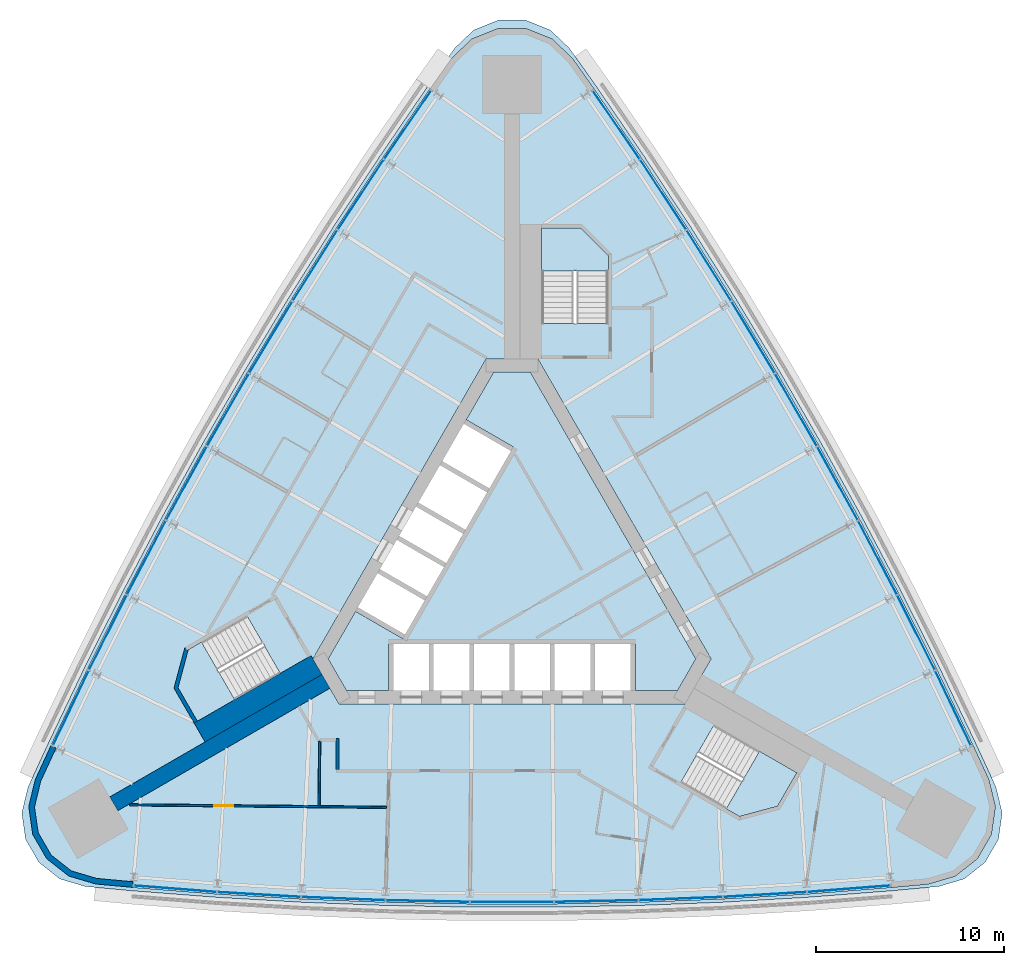
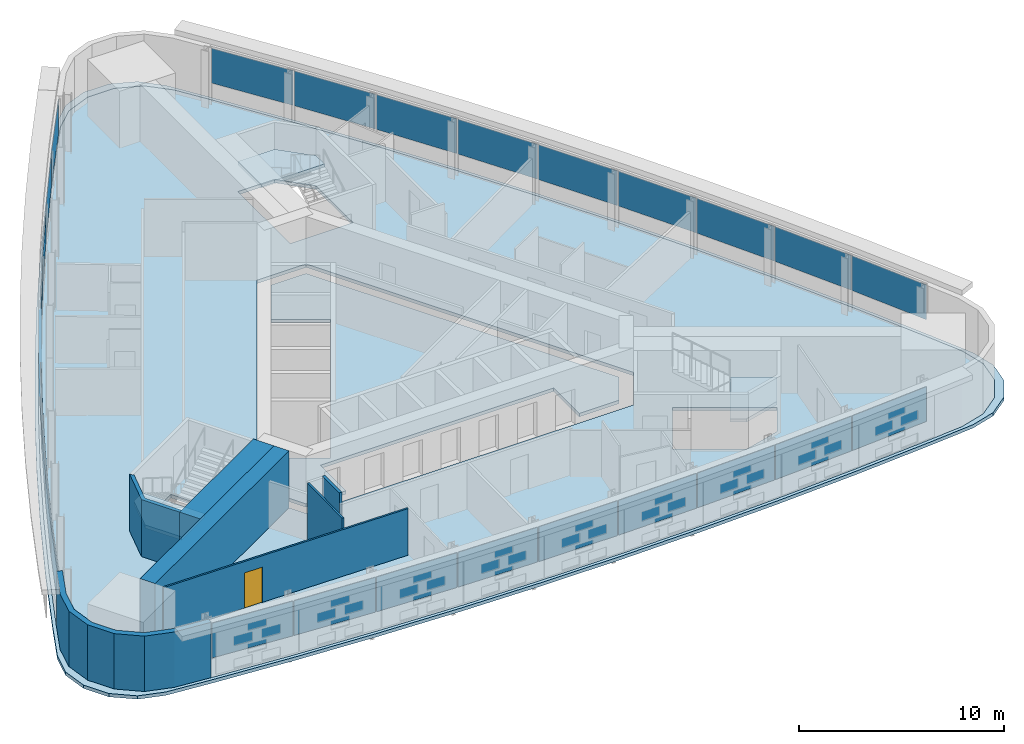
# One storey, part 7 of 13: 27 plates, 7 walls, 6 slabs, 1 door, 1 opening, 6 elements without a shape of their own.
"""IFC4 building model written with IfcOpenShell, lengths in metres."""

from ifc_helpers import new_model, si_unit, direction, frame, frame_2d, origin, origin_2d, place, context, subcontext, project, spatial, polyline, rectangle, outline, extrude, material, layer, layer_set, type_object, element, fill, aggregate, save


model = new_model("IFC4")

# Units and contexts
model_context = context("Model", 3, precision=1e-05, world=origin(), true_north=direction((0.0, 1.0)))
body_context = subcontext(model_context, "Body", "Model", "MODEL_VIEW")
ifc_project = project(units=[si_unit("LENGTHUNIT", "METRE"), si_unit("AREAUNIT", "SQUARE_METRE"), si_unit("VOLUMEUNIT", "CUBIC_METRE"), si_unit("PLANEANGLEUNIT", "RADIAN"), si_unit("MASSUNIT", "GRAM", prefix="KILO")], contexts=[model_context])

# Site, building, storey
site_placement = place(None, origin())
site = spatial("IfcSite", under=ifc_project, at=site_placement, CompositionType="ELEMENT")
building_placement = place(site_placement, origin())
building = spatial("IfcBuilding", under=site, at=building_placement, Name="Noor Cloister Tower", CompositionType="ELEMENT")
storey_placement = place(building_placement, frame((0.0, 0.0, 79.800048828125)))
storey = spatial("IfcBuildingStorey", under=building, at=storey_placement, Name="L20", CompositionType="ELEMENT", Elevation=79.800048828125)

# Slabs
ifc_material_1 = material(Name="Concrete C40/50", Category="concrete")
ifc_layer_1 = layer(ifc_material_1, 0.199951171875)
ifc_layer_set_1 = layer_set([ifc_layer_1], Name="Core floor slab 200 C40/50")
slab_type_1 = type_object("IfcSlabType", Name="Core floor slab 200 C40/50", PredefinedType="FLOOR", material=ifc_layer_set_1)
slab_1_placement = place(storey_placement, frame((0.0, 0.0, -0.199951171875)))
element("IfcSlab", 1, at=slab_1_placement, inside=storey, type_object=slab_type_1, Name="Core floor L20", PredefinedType="FLOOR", context=body_context, shape_type="SweptSolid", body=[
    extrude(outline(polyline([(-6.574951171875, -6.228271484375), (-6.574951171875, -3.728271484375), (6.574951171875, -3.728271484375), (6.574951171875, -6.228271484375), (8.82470703125, -6.228271484375), (9.80615234375, -4.5283203125), (0.9814453125, 10.75634765625), (-0.9814453125, 10.75634765625), (-2.44384765625, 8.2236328125), (0.067626953125, 6.773681640625), (-5.832275390625, -3.4453125), (-8.34375, -1.995361328125), (-9.80615234375, -4.5283203125), (-8.82470703125, -6.228271484375), (-6.574951171875, -6.228271484375)])), origin(), (0.0, 0.0, 1.0), 0.199951171875),
])
ifc_material_2 = material(Name="Concrete C40/50", Category="concrete")
ifc_layer_2 = layer(ifc_material_2, 0.199951171875)
ifc_layer_set_2 = layer_set([ifc_layer_2], Name="Floor slab 200 C40/50")
slab_type_2 = type_object("IfcSlabType", Name="Floor slab 200 C40/50", PredefinedType="FLOOR", material=ifc_layer_set_2)
slab_2_placement = place(storey_placement, frame((0.0, 0.0, -0.199951171875)))
element("IfcSlab", 2, at=slab_2_placement, inside=storey, type_object=slab_type_2, Name="Floor slab L20", PredefinedType="FLOOR", context=body_context, shape_type="SweptSolid", body=[
    extrude(outline(polyline([(3.216796875, 27.4951171875), (2.134521484375, 28.525390625), (0.7470703125, 29.080078125), (-0.7470703125, 29.080078125), (-2.134521484375, 28.525390625), (-3.216796875, 27.4951171875), (-4.3642578125, 25.87255859375), (-6.910888671875, 22.162353515625), (-9.384521484375, 18.4033203125), (-11.78466796875, 14.596923828125), (-14.110107421875, 10.744384765625), (-16.360107421875, 6.847412109375), (-18.53369140625, 2.9072265625), (-20.630126953125, -1.074462890625), (-22.648681640625, -5.09619140625), (-24.58837890625, -9.15673828125), (-25.419921875, -10.961669921875), (-25.770751953125, -12.4140625), (-25.5576171875, -13.89306640625), (-24.810546875, -15.18701171875), (-23.636474609375, -16.111083984375), (-22.203125, -16.533447265625), (-20.22412109375, -16.7158203125), (-15.73779296875, -17.066162109375), (-11.24560546875, -17.328857421875), (-6.7490234375, -17.504150390625), (-2.25, -17.591796875), (2.25, -17.591796875), (6.7490234375, -17.504150390625), (11.24560546875, -17.328857421875), (15.73779296875, -17.066162109375), (20.22412109375, -16.7158203125), (22.203125, -16.533447265625), (23.636474609375, -16.111083984375), (24.810546875, -15.18701171875), (25.5576171875, -13.89306640625), (25.770751953125, -12.4140625), (25.419921875, -10.961669921875), (24.58837890625, -9.15673828125), (22.648681640625, -5.09619140625), (20.630126953125, -1.074462890625), (18.53369140625, 2.9072265625), (16.360107421875, 6.847412109375), (14.110107421875, 10.744384765625), (11.78466796875, 14.596923828125), (9.384521484375, 18.4033203125), (6.910888671875, 22.162353515625), (4.3642578125, 25.87255859375), (3.216796875, 27.4951171875)]), holes=[polyline([(8.999755859375, -11.126220703125), (12.131591796875, -12.934326171875), (14.1572265625, -12.3916015625), (15.19091796875, -10.601318359375), (10.774658203125, -8.0517578125), (8.999755859375, -11.126220703125)]), polyline([(-17.81005859375, -6.064697265625), (-16.776611328125, -7.85498046875), (-12.3603515625, -5.305419921875), (-14.13525390625, -2.23095703125), (-16.662841796875, -3.690185546875), (-17.267333984375, -4.039306640625), (-17.81005859375, -6.064697265625)]), polyline([(-10.6142578125, -4.5283203125), (-9.228759765625, -6.92822265625), (9.228759765625, -6.92822265625), (10.6142578125, -4.5283203125), (1.3857421875, 11.456298828125), (-1.3857421875, 11.456298828125), (-10.6142578125, -4.5283203125)]), polyline([(3.65283203125, 18.456298828125), (1.585693359375, 18.456298828125), (1.585693359375, 13.35693359375), (5.135498046875, 13.35693359375), (5.135498046875, 16.9736328125), (3.65283203125, 18.456298828125)])]), origin(), (0.0, 0.0, 1.0), 0.199951171875),
])

# Curtain wall, plates
ifc_material_3 = material(Name="Aluminium 6063-T6 anodised", Category="aluminium")
curtain_wall_type = type_object("IfcCurtainWallType", Name="Ribbon curtain wall, lower tower CW1", PredefinedType="NOTDEFINED", material=ifc_material_3)
curtain_wall_1_placement = place(storey_placement, origin())
curtain_wall_1 = element("IfcCurtainWall", 3, at=curtain_wall_1_placement, inside=storey, type_object=curtain_wall_type, Name="CW1 L20 NW run 1", PredefinedType="NOTDEFINED")
ifc_material_4 = material(Name="Clear laminated glass 2 x 8 mm", Category="glass")
ifc_layer_3 = layer(ifc_material_4, 0.028076171875)
ifc_layer_set_3 = layer_set([ifc_layer_3], Name="Glass panel CW1")
plate_type = type_object("IfcPlateType", Name="Glass panel CW1", PredefinedType="CURTAIN_PANEL", material=ifc_layer_set_3)
plate_1_placement = place(storey_placement, frame((-5.566162109375, 23.94482421875, 1.08984375), z_axis=(0.0, 0.0, 1.0), x_axis=(-0.565895290492, -0.82447711927, 0.0)))
plate_1 = element("IfcPlate", 4, at=plate_1_placement, type_object=plate_type, Name="CW1 glass panel 1", PredefinedType="CURTAIN_PANEL", context=body_context, shape_type="SweptSolid", body=[
    extrude(rectangle(XDim=4.39892578125, YDim=0.028076171875, at=origin_2d()), origin(), (0.0, 0.0, 1.0), 2.070068359375),
])
plate_2_placement = place(storey_placement, frame((-8.064208984375, 20.22802734375, 1.08984375), z_axis=(0.0, 0.0, 1.0), x_axis=(-0.549728136539, -0.835343627436, 0.0)))
plate_2 = element("IfcPlate", 5, at=plate_2_placement, type_object=plate_type, Name="CW1 glass panel 2", PredefinedType="CURTAIN_PANEL", context=body_context, shape_type="SweptSolid", body=[
    extrude(rectangle(XDim=4.43798828125, YDim=0.028076171875, at=origin_2d()), origin(), (0.0, 0.0, 1.0), 2.070068359375),
])
plate_3_placement = place(storey_placement, frame((-10.5, 16.44677734375, 1.08984375), z_axis=(0.0, 0.0, 1.0), x_axis=(-0.533352369157, -0.845893167199, 0.0)))
plate_3 = element("IfcPlate", 6, at=plate_3_placement, type_object=plate_type, Name="CW1 glass panel 3", PredefinedType="CURTAIN_PANEL", context=body_context, shape_type="SweptSolid", body=[
    extrude(rectangle(XDim=4.43798828125, YDim=0.028076171875, at=origin_2d()), origin(), (0.0, 0.0, 1.0), 2.070068359375),
])
plate_4_placement = place(storey_placement, frame((-12.86181640625, 12.619140625, 1.08984375), z_axis=(0.0, 0.0, 1.0), x_axis=(-0.516774231602, -0.856121716552, 0.0)))
plate_4 = element("IfcPlate", 7, at=plate_4_placement, type_object=plate_type, Name="CW1 glass panel 4", PredefinedType="CURTAIN_PANEL", context=body_context, shape_type="SweptSolid", body=[
    extrude(rectangle(XDim=4.43798828125, YDim=0.028076171875, at=origin_2d()), origin(), (0.0, 0.0, 1.0), 2.070068359375),
])
plate_5_placement = place(storey_placement, frame((-15.1484375, 8.745849609375, 1.08984375), z_axis=(0.0, 0.0, 1.0), x_axis=(-0.5, -0.866025403784, 0.0)))
plate_5 = element("IfcPlate", 8, at=plate_5_placement, type_object=plate_type, Name="CW1 glass panel 5", PredefinedType="CURTAIN_PANEL", context=body_context, shape_type="SweptSolid", body=[
    extrude(rectangle(XDim=4.43798828125, YDim=0.028076171875, at=origin_2d()), origin(), (0.0, 0.0, 1.0), 2.070068359375),
])
plate_6_placement = place(storey_placement, frame((-17.359130859375, 4.8291015625, 1.08984375), z_axis=(0.0, 0.0, 1.0), x_axis=(-0.483036039464, -0.875600470865, 0.0)))
plate_6 = element("IfcPlate", 9, at=plate_6_placement, type_object=plate_type, Name="CW1 glass panel 6", PredefinedType="CURTAIN_PANEL", context=body_context, shape_type="SweptSolid", body=[
    extrude(rectangle(XDim=4.43798828125, YDim=0.028076171875, at=origin_2d()), origin(), (0.0, 0.0, 1.0), 2.070068359375),
])
plate_7_placement = place(storey_placement, frame((-19.493408203125, 0.869873046875, 1.08984375), z_axis=(0.0, 0.0, 1.0), x_axis=(-0.465888787104, -0.884843284458, 0.0)))
plate_7 = element("IfcPlate", 10, at=plate_7_placement, type_object=plate_type, Name="CW1 glass panel 7", PredefinedType="CURTAIN_PANEL", context=body_context, shape_type="SweptSolid", body=[
    extrude(rectangle(XDim=4.43798828125, YDim=0.028076171875, at=origin_2d()), origin(), (0.0, 0.0, 1.0), 2.070068359375),
])
plate_8_placement = place(storey_placement, frame((-21.550048828125, -3.130126953125, 1.08984375), z_axis=(0.0, 0.0, 1.0), x_axis=(-0.448564733979, -0.893750345136, 0.0)))
plate_8 = element("IfcPlate", 11, at=plate_8_placement, type_object=plate_type, Name="CW1 glass panel 8", PredefinedType="CURTAIN_PANEL", context=body_context, shape_type="SweptSolid", body=[
    extrude(rectangle(XDim=4.43798828125, YDim=0.028076171875, at=origin_2d()), origin(), (0.0, 0.0, 1.0), 2.070068359375),
])
plate_9_placement = place(storey_placement, frame((-23.519775390625, -7.15185546875, 1.08984375), z_axis=(0.0, 0.0, 1.0), x_axis=(-0.431070484881, -0.902318257083, 0.0)))
plate_9 = element("IfcPlate", 12, at=plate_9_placement, type_object=plate_type, Name="CW1 glass panel 9", PredefinedType="CURTAIN_PANEL", context=body_context, shape_type="SweptSolid", body=[
    extrude(rectangle(XDim=4.39892578125, YDim=0.028076171875, at=origin_2d()), origin(), (0.0, 0.0, 1.0), 2.070068359375),
])
aggregate(curtain_wall_1, [plate_1, plate_2, plate_3, plate_4, plate_5, plate_6, plate_7, plate_8, plate_9])

curtain_wall_2_placement = place(storey_placement, origin())
curtain_wall_2 = element("IfcCurtainWall", 13, at=curtain_wall_2_placement, inside=storey, type_object=curtain_wall_type, Name="CW1 L20 S run 2", PredefinedType="NOTDEFINED")
plate_10_placement = place(storey_placement, frame((-17.95361328125, -16.792724609375, 1.08984375), z_axis=(0.0, 0.0, 1.0), x_axis=(0.996965775372, -0.077841137813, 0.0)))
plate_10 = element("IfcPlate", 14, at=plate_10_placement, type_object=plate_type, Name="CW1 glass panel 1", PredefinedType="CURTAIN_PANEL", context=body_context, shape_type="SweptSolid", body=[
    extrude(rectangle(XDim=4.39892578125, YDim=0.028076171875, at=origin_2d()), origin(), (0.0, 0.0, 1.0), 2.070068359375),
])
plate_11_placement = place(storey_placement, frame((-13.48583984375, -17.09765625, 1.08984375), z_axis=(0.0, 0.0, 1.0), x_axis=(0.998292870518, -0.0584067177, 0.0)))
plate_11 = element("IfcPlate", 15, at=plate_11_placement, type_object=plate_type, Name="CW1 glass panel 2", PredefinedType="CURTAIN_PANEL", context=body_context, shape_type="SweptSolid", body=[
    extrude(rectangle(XDim=4.43798828125, YDim=0.028076171875, at=origin_2d()), origin(), (0.0, 0.0, 1.0), 2.070068359375),
])
plate_12_placement = place(storey_placement, frame((-8.993408203125, -17.316650390625, 1.08984375), z_axis=(0.0, 0.0, 1.0), x_axis=(0.999241156261, -0.038950117259, 0.0)))
plate_12 = element("IfcPlate", 16, at=plate_12_placement, type_object=plate_type, Name="CW1 glass panel 3", PredefinedType="CURTAIN_PANEL", context=body_context, shape_type="SweptSolid", body=[
    extrude(rectangle(XDim=4.43798828125, YDim=0.028076171875, at=origin_2d()), origin(), (0.0, 0.0, 1.0), 2.070068359375),
])
plate_13_placement = place(storey_placement, frame((-4.49755859375, -17.447998046875, 1.08984375), z_axis=(0.0, 0.0, 1.0), x_axis=(0.999810271067, -0.019478754313, 0.0)))
plate_13 = element("IfcPlate", 17, at=plate_13_placement, type_object=plate_type, Name="CW1 glass panel 4", PredefinedType="CURTAIN_PANEL", context=body_context, shape_type="SweptSolid", body=[
    extrude(rectangle(XDim=4.43798828125, YDim=0.028076171875, at=origin_2d()), origin(), (0.0, 0.0, 1.0), 2.070068359375),
])
plate_14_placement = place(storey_placement, frame((0.0, -17.491943359375, 1.08984375), z_axis=(0.0, 0.0, 1.0), x_axis=(1.0, 0.0, 0.0)))
plate_14 = element("IfcPlate", 18, at=plate_14_placement, type_object=plate_type, Name="CW1 glass panel 5", PredefinedType="CURTAIN_PANEL", context=body_context, shape_type="SweptSolid", body=[
    extrude(rectangle(XDim=4.43798828125, YDim=0.028076171875, at=origin_2d()), origin(), (0.0, 0.0, 1.0), 2.070068359375),
])
plate_15_placement = place(storey_placement, frame((4.49755859375, -17.447998046875, 1.08984375), z_axis=(0.0, 0.0, 1.0), x_axis=(0.999810271067, 0.019478754313, 0.0)))
plate_15 = element("IfcPlate", 19, at=plate_15_placement, type_object=plate_type, Name="CW1 glass panel 6", PredefinedType="CURTAIN_PANEL", context=body_context, shape_type="SweptSolid", body=[
    extrude(rectangle(XDim=4.43798828125, YDim=0.028076171875, at=origin_2d()), origin(), (0.0, 0.0, 1.0), 2.070068359375),
])
plate_16_placement = place(storey_placement, frame((8.993408203125, -17.316650390625, 1.08984375), z_axis=(0.0, 0.0, 1.0), x_axis=(0.999241156261, 0.038950117259, 0.0)))
plate_16 = element("IfcPlate", 20, at=plate_16_placement, type_object=plate_type, Name="CW1 glass panel 7", PredefinedType="CURTAIN_PANEL", context=body_context, shape_type="SweptSolid", body=[
    extrude(rectangle(XDim=4.43798828125, YDim=0.028076171875, at=origin_2d()), origin(), (0.0, 0.0, 1.0), 2.070068359375),
])
plate_17_placement = place(storey_placement, frame((13.48583984375, -17.09765625, 1.08984375), z_axis=(0.0, 0.0, 1.0), x_axis=(0.998292870518, 0.0584067177, 0.0)))
plate_17 = element("IfcPlate", 21, at=plate_17_placement, type_object=plate_type, Name="CW1 glass panel 8", PredefinedType="CURTAIN_PANEL", context=body_context, shape_type="SweptSolid", body=[
    extrude(rectangle(XDim=4.43798828125, YDim=0.028076171875, at=origin_2d()), origin(), (0.0, 0.0, 1.0), 2.070068359375),
])
plate_18_placement = place(storey_placement, frame((17.95361328125, -16.792724609375, 1.08984375), z_axis=(0.0, 0.0, 1.0), x_axis=(0.996965775372, 0.077841137813, 0.0)))
plate_18 = element("IfcPlate", 22, at=plate_18_placement, type_object=plate_type, Name="CW1 glass panel 9", PredefinedType="CURTAIN_PANEL", context=body_context, shape_type="SweptSolid", body=[
    extrude(rectangle(XDim=4.39892578125, YDim=0.028076171875, at=origin_2d()), origin(), (0.0, 0.0, 1.0), 2.070068359375),
])
aggregate(curtain_wall_2, [plate_10, plate_11, plate_12, plate_13, plate_14, plate_15, plate_16, plate_17, plate_18])

curtain_wall_3_placement = place(storey_placement, origin())
curtain_wall_3 = element("IfcCurtainWall", 23, at=curtain_wall_3_placement, inside=storey, type_object=curtain_wall_type, Name="CW1 L20 NE run 3", PredefinedType="NOTDEFINED")
plate_19_placement = place(storey_placement, frame((23.519775390625, -7.15185546875, 1.08984375), z_axis=(0.0, 0.0, 1.0), x_axis=(-0.431070484881, 0.902318257083, 0.0)))
plate_19 = element("IfcPlate", 24, at=plate_19_placement, type_object=plate_type, Name="CW1 glass panel 1", PredefinedType="CURTAIN_PANEL", context=body_context, shape_type="SweptSolid", body=[
    extrude(rectangle(XDim=4.39892578125, YDim=0.028076171875, at=origin_2d()), origin(), (0.0, 0.0, 1.0), 2.070068359375),
])
plate_20_placement = place(storey_placement, frame((21.550048828125, -3.130126953125, 1.08984375), z_axis=(0.0, 0.0, 1.0), x_axis=(-0.448564733979, 0.893750345136, 0.0)))
plate_20 = element("IfcPlate", 25, at=plate_20_placement, type_object=plate_type, Name="CW1 glass panel 2", PredefinedType="CURTAIN_PANEL", context=body_context, shape_type="SweptSolid", body=[
    extrude(rectangle(XDim=4.43798828125, YDim=0.028076171875, at=origin_2d()), origin(), (0.0, 0.0, 1.0), 2.070068359375),
])
plate_21_placement = place(storey_placement, frame((19.493408203125, 0.869873046875, 1.08984375), z_axis=(0.0, 0.0, 1.0), x_axis=(-0.465888787104, 0.884843284458, 0.0)))
plate_21 = element("IfcPlate", 26, at=plate_21_placement, type_object=plate_type, Name="CW1 glass panel 3", PredefinedType="CURTAIN_PANEL", context=body_context, shape_type="SweptSolid", body=[
    extrude(rectangle(XDim=4.43798828125, YDim=0.028076171875, at=origin_2d()), origin(), (0.0, 0.0, 1.0), 2.070068359375),
])
plate_22_placement = place(storey_placement, frame((17.359130859375, 4.8291015625, 1.08984375), z_axis=(0.0, 0.0, 1.0), x_axis=(-0.483036039464, 0.875600470865, 0.0)))
plate_22 = element("IfcPlate", 27, at=plate_22_placement, type_object=plate_type, Name="CW1 glass panel 4", PredefinedType="CURTAIN_PANEL", context=body_context, shape_type="SweptSolid", body=[
    extrude(rectangle(XDim=4.43798828125, YDim=0.028076171875, at=origin_2d()), origin(), (0.0, 0.0, 1.0), 2.070068359375),
])
plate_23_placement = place(storey_placement, frame((15.1484375, 8.745849609375, 1.08984375), z_axis=(0.0, 0.0, 1.0), x_axis=(-0.5, 0.866025403784, 0.0)))
plate_23 = element("IfcPlate", 28, at=plate_23_placement, type_object=plate_type, Name="CW1 glass panel 5", PredefinedType="CURTAIN_PANEL", context=body_context, shape_type="SweptSolid", body=[
    extrude(rectangle(XDim=4.43798828125, YDim=0.028076171875, at=origin_2d()), origin(), (0.0, 0.0, 1.0), 2.070068359375),
])
plate_24_placement = place(storey_placement, frame((12.86181640625, 12.619140625, 1.08984375), z_axis=(0.0, 0.0, 1.0), x_axis=(-0.516774231602, 0.856121716552, 0.0)))
plate_24 = element("IfcPlate", 29, at=plate_24_placement, type_object=plate_type, Name="CW1 glass panel 6", PredefinedType="CURTAIN_PANEL", context=body_context, shape_type="SweptSolid", body=[
    extrude(rectangle(XDim=4.43798828125, YDim=0.028076171875, at=origin_2d()), origin(), (0.0, 0.0, 1.0), 2.070068359375),
])
plate_25_placement = place(storey_placement, frame((10.5, 16.44677734375, 1.08984375), z_axis=(0.0, 0.0, 1.0), x_axis=(-0.533352369157, 0.845893167199, 0.0)))
plate_25 = element("IfcPlate", 30, at=plate_25_placement, type_object=plate_type, Name="CW1 glass panel 7", PredefinedType="CURTAIN_PANEL", context=body_context, shape_type="SweptSolid", body=[
    extrude(rectangle(XDim=4.43798828125, YDim=0.028076171875, at=origin_2d()), origin(), (0.0, 0.0, 1.0), 2.070068359375),
])
plate_26_placement = place(storey_placement, frame((8.064208984375, 20.22802734375, 1.08984375), z_axis=(0.0, 0.0, 1.0), x_axis=(-0.549728136539, 0.835343627436, 0.0)))
plate_26 = element("IfcPlate", 31, at=plate_26_placement, type_object=plate_type, Name="CW1 glass panel 8", PredefinedType="CURTAIN_PANEL", context=body_context, shape_type="SweptSolid", body=[
    extrude(rectangle(XDim=4.43798828125, YDim=0.028076171875, at=origin_2d()), origin(), (0.0, 0.0, 1.0), 2.070068359375),
])
plate_27_placement = place(storey_placement, frame((5.566162109375, 23.94482421875, 1.08984375), z_axis=(0.0, 0.0, 1.0), x_axis=(-0.565895290492, 0.82447711927, 0.0)))
plate_27 = element("IfcPlate", 32, at=plate_27_placement, type_object=plate_type, Name="CW1 glass panel 9", PredefinedType="CURTAIN_PANEL", context=body_context, shape_type="SweptSolid", body=[
    extrude(rectangle(XDim=4.39892578125, YDim=0.028076171875, at=origin_2d()), origin(), (0.0, 0.0, 1.0), 2.070068359375),
])
aggregate(curtain_wall_3, [plate_19, plate_20, plate_21, plate_22, plate_23, plate_24, plate_25, plate_26, plate_27])

# Slab
ifc_material_5 = material(Name="Concrete C40/50", Category="concrete")
ifc_layer_4 = layer(ifc_material_5, 0.199951171875)
ifc_layer_set_4 = layer_set([ifc_layer_4], Name="Ledge roof 200 C40/50")
slab_type_3 = type_object("IfcSlabType", Name="Ledge roof 200 C40/50", PredefinedType="ROOF", material=ifc_layer_set_4)
slab_3_placement = place(storey_placement, frame((0.0, 0.0, -0.199951171875)))
element("IfcSlab", 33, at=slab_3_placement, inside=storey, type_object=slab_type_3, Name="Ledge roof L20", PredefinedType="ROOF", context=body_context, shape_type="SweptSolid", body=[
    extrude(outline(polyline([(4.524169921875, 25.96533203125), (3.05908203125, 28.035888671875), (2.029052734375, 29.013916015625), (0.710205078125, 29.540283203125), (-0.710205078125, 29.540283203125), (-2.029052734375, 29.013916015625), (-3.05908203125, 28.035888671875), (-4.524169921875, 25.96533203125), (-7.06787109375, 22.25341796875), (-9.53955078125, 18.492919921875), (-11.938232421875, 14.685546875), (-14.262939453125, 10.832763671875), (-16.5126953125, 6.935546875), (-18.687255859375, 2.995849609375), (-20.78515625, -0.985107421875), (-22.805908203125, -5.005615234375), (-24.748779296875, -9.064697265625), (-25.809326171875, -11.36865234375), (-26.141357421875, -12.74951171875), (-25.937744140625, -14.1552734375), (-25.227783203125, -15.38525390625), (-24.112060546875, -16.26416015625), (-22.750244140625, -16.6669921875), (-20.224609375, -16.900634765625), (-15.738037109375, -17.24755859375), (-11.24560546875, -17.508056640625), (-6.7490234375, -17.681640625), (-2.25, -17.768310546875), (2.25, -17.768310546875), (6.7490234375, -17.681640625), (11.24560546875, -17.508056640625), (15.738037109375, -17.24755859375), (20.224609375, -16.900634765625), (22.750244140625, -16.6669921875), (24.112060546875, -16.26416015625), (25.227783203125, -15.38525390625), (25.937744140625, -14.1552734375), (26.141357421875, -12.74951171875), (25.809326171875, -11.36865234375), (24.748779296875, -9.064697265625), (22.805908203125, -5.005615234375), (20.78515625, -0.985107421875), (18.687255859375, 2.995849609375), (16.5126953125, 6.935546875), (14.262939453125, 10.832763671875), (11.938232421875, 14.685546875), (9.53955078125, 18.492919921875), (7.06787109375, 22.25341796875), (4.524169921875, 25.96533203125)]), holes=[polyline([(0.7470703125, 29.080078125), (-0.7470703125, 29.080078125), (-2.134521484375, 28.525390625), (-3.216796875, 27.4951171875), (-4.3642578125, 25.87255859375), (-6.910888671875, 22.162353515625), (-9.384521484375, 18.4033203125), (-11.78466796875, 14.596923828125), (-14.110107421875, 10.744384765625), (-16.360107421875, 6.847412109375), (-18.53369140625, 2.9072265625), (-20.630126953125, -1.074462890625), (-22.648681640625, -5.09619140625), (-24.58837890625, -9.15673828125), (-25.419921875, -10.961669921875), (-25.770751953125, -12.4140625), (-25.5576171875, -13.89306640625), (-24.810546875, -15.18701171875), (-23.636474609375, -16.111083984375), (-22.203125, -16.533447265625), (-20.22412109375, -16.7158203125), (-15.73779296875, -17.066162109375), (-11.24560546875, -17.328857421875), (-6.7490234375, -17.504150390625), (-2.25, -17.591796875), (2.25, -17.591796875), (6.7490234375, -17.504150390625), (11.24560546875, -17.328857421875), (15.73779296875, -17.066162109375), (20.22412109375, -16.7158203125), (22.203125, -16.533447265625), (23.636474609375, -16.111083984375), (24.810546875, -15.18701171875), (25.5576171875, -13.89306640625), (25.770751953125, -12.4140625), (25.419921875, -10.961669921875), (24.58837890625, -9.15673828125), (22.648681640625, -5.09619140625), (20.630126953125, -1.074462890625), (18.53369140625, 2.9072265625), (16.360107421875, 6.847412109375), (14.110107421875, 10.744384765625), (11.78466796875, 14.596923828125), (9.384521484375, 18.4033203125), (6.910888671875, 22.162353515625), (4.3642578125, 25.87255859375), (3.216796875, 27.4951171875), (2.134521484375, 28.525390625), (0.7470703125, 29.080078125)])]), origin(), (0.0, 0.0, 1.0), 0.199951171875),
])

# Stair, slab
ifc_material_6 = material(Name="Concrete C40/50", Category="concrete")
stair_type = type_object("IfcStairType", Name="Exit stair 22 risers", PredefinedType="HALF_TURN_STAIR", material=ifc_material_6)
stair_1_placement = place(storey_placement, origin())
stair_1 = element("IfcStair", 34, at=stair_1_placement, inside=storey, type_object=stair_type, Name="Exit stair ST1 L20", PredefinedType="HALF_TURN_STAIR")
ifc_material_7 = material(Name="Concrete C40/50", Category="concrete")
ifc_layer_5 = layer(ifc_material_7, 0.199951171875)
ifc_layer_set_5 = layer_set([ifc_layer_5], Name="Stair landing 200 C40/50")
slab_type_4 = type_object("IfcSlabType", Name="Stair landing 200 C40/50", PredefinedType="LANDING", material=ifc_layer_set_5)
slab_4_placement = place(storey_placement, frame((0.0, 0.0, 1.599853515625)))
slab_4 = element("IfcSlab", 35, at=slab_4_placement, type_object=slab_type_4, Name="ST1 landing 1", PredefinedType="LANDING", context=body_context, shape_type="SweptSolid", body=[
    extrude(outline(polyline([(5.135498046875, 16.15576171875), (5.135498046875, 16.9736328125), (3.65283203125, 18.456298828125), (1.585693359375, 18.456298828125), (1.585693359375, 16.15576171875), (5.135498046875, 16.15576171875)])), origin(), (0.0, 0.0, 1.0), 0.2001953125),
])
aggregate(stair_1, [slab_4])

stair_2_placement = place(storey_placement, origin())
stair_2 = element("IfcStair", 36, at=stair_2_placement, inside=storey, type_object=stair_type, Name="Exit stair ST2 L20", PredefinedType="HALF_TURN_STAIR")
slab_5_placement = place(storey_placement, frame((0.0, 0.0, 1.599853515625)))
slab_5 = element("IfcSlab", 37, at=slab_5_placement, type_object=slab_type_4, Name="ST2 landing 1", PredefinedType="LANDING", context=body_context, shape_type="SweptSolid", body=[
    extrude(outline(polyline([(-16.55908203125, -3.63037109375), (-17.267333984375, -4.039306640625), (-17.81005859375, -6.064697265625), (-16.776611328125, -7.85498046875), (-14.7841796875, -6.70458984375), (-16.55908203125, -3.63037109375)])), origin(), (0.0, 0.0, 1.0), 0.2001953125),
])
aggregate(stair_2, [slab_5])

stair_3_placement = place(storey_placement, origin())
stair_3 = element("IfcStair", 38, at=stair_3_placement, inside=storey, type_object=stair_type, Name="Exit stair ST3 L20", PredefinedType="HALF_TURN_STAIR")
slab_6_placement = place(storey_placement, frame((0.0, 0.0, 1.599853515625)))
slab_6 = element("IfcSlab", 39, at=slab_6_placement, type_object=slab_type_4, Name="ST3 landing 1", PredefinedType="LANDING", context=body_context, shape_type="SweptSolid", body=[
    extrude(outline(polyline([(11.423583984375, -12.525390625), (12.131591796875, -12.934326171875), (14.1572265625, -12.3916015625), (15.19091796875, -10.601318359375), (13.198486328125, -9.451171875), (11.423583984375, -12.525390625)])), origin(), (0.0, 0.0, 1.0), 0.2001953125),
])
aggregate(stair_3, [slab_6])

# Walls
ifc_material_8 = material(Name="Concrete C80/95", Category="concrete")
ifc_layer_6 = layer(ifc_material_8, 0.85009765625)
ifc_layer_set_6 = layer_set([ifc_layer_6], Name="Buttress wall 850 C80/95")
wall_type_1 = type_object("IfcWallType", Name="Buttress wall 850 C80/95", PredefinedType="SHEAR", material=ifc_layer_set_6)
wall_1_placement = place(storey_placement, frame((-9.921630859375, -5.728271484375, -0.199951171875), z_axis=(0.0, 0.0, 1.0), x_axis=(-0.866026565165, -0.499997988424, 0.0)))
element("IfcWall", 40, at=wall_1_placement, inside=storey, type_object=wall_type_1, Name="Buttress wall SW L20", PredefinedType="SHEAR", context=body_context, shape_type="SweptSolid", body=[
    extrude(rectangle(XDim=13.064453125, YDim=0.85009765625, at=frame_2d((6.5322265625, 0.0))), origin(), (0.0, 0.0, 1.0), 3.599853515625),
])
ifc_material_9 = material(Name="Gypsum board partition on steel studs, 150 mm", Category="steel")
ifc_layer_7 = layer(ifc_material_9, 0.14990234375)
ifc_layer_set_7 = layer_set([ifc_layer_7], Name="Flat wall 150")
wall_type_2 = type_object("IfcWallType", Name="Flat wall 150", PredefinedType="PARTITIONING", material=ifc_layer_set_7)
wall_2_placement = place(storey_placement, frame((-9.3037109375, -10.42822265625, 0.0), z_axis=(0.0, 0.0, 1.0), x_axis=(0.0, 1.0, 0.0)))
element("IfcWall", 41, at=wall_2_placement, inside=storey, type_object=wall_type_2, Name="Flat wall 150 L20 014", PredefinedType="PARTITIONING", context=body_context, shape_type="SweptSolid", body=[
    extrude(rectangle(XDim=1.64990234375, YDim=0.14990234375, at=frame_2d((0.824951171875, 0.0))), origin(), (0.0, 0.0, 1.0), 3.39990234375),
])
ifc_material_10 = material(Name="Limestone", Category="masonry")
ifc_layer_8 = layer(ifc_material_10, 0.300048828125)
ifc_layer_set_8 = layer_set([ifc_layer_8], Name="Limestone cladding 300")
wall_type_3 = type_object("IfcWallType", Name="Limestone cladding 300", PredefinedType="NOTDEFINED", material=ifc_layer_set_8)
wall_3_placement = place(storey_placement, origin())
element("IfcWall", 42, at=wall_3_placement, inside=storey, type_object=wall_type_3, Name="Limestone pier cladding L20 1.1", PredefinedType="NOTDEFINED", context=body_context, shape_type="SweptSolid", body=[
    extrude(outline(polyline([(-24.58837890625, -9.15673828125), (-25.419921875, -10.961669921875), (-25.770751953125, -12.4140625), (-25.5576171875, -13.89306640625), (-24.810546875, -15.18701171875), (-23.636474609375, -16.111083984375), (-22.203125, -16.533447265625), (-20.22412109375, -16.7158203125), (-20.196533203125, -16.417236328125), (-22.146484375, -16.2373046875), (-23.49609375, -15.839599609375), (-24.57958984375, -14.987060546875), (-25.268798828125, -13.79296875), (-25.465576171875, -12.428466796875), (-25.135009765625, -11.060791015625), (-24.31591796875, -9.2822265625), (-24.58837890625, -9.15673828125)])), origin(), (0.0, 0.0, 1.0), 3.300048828125),
])

# Wall, opening, door
ifc_material_11 = material(Name="Gypsum board partition on steel studs, 100 mm", Category="steel")
ifc_layer_9 = layer(ifc_material_11, 0.10009765625)
ifc_layer_set_9 = layer_set([ifc_layer_9], Name="Partition 100")
wall_type_4 = type_object("IfcWallType", Name="Partition 100", PredefinedType="PARTITIONING", material=ifc_layer_set_9)
wall_4_placement = place(storey_placement, frame((-20.392578125, -12.314208984375, 0.0), z_axis=(0.0, 0.0, 1.0), x_axis=(0.999952690336, -0.009727131588, 0.0)))
wall_4 = element("IfcWall", 43, at=wall_4_placement, inside=storey, type_object=wall_type_4, Name="Partition 100 L20 022", PredefinedType="PARTITIONING", context=body_context, shape_type="SweptSolid", body=[
    extrude(rectangle(XDim=13.7041015625, YDim=0.10009765625, at=frame_2d((6.85205078125, 0.0))), origin(), (0.0, 0.0, 1.0), 2.77783203125),
])
opening_placement = place(wall_4_placement, frame((4.527099609375, 0.0, 0.0)))
opening = element("IfcOpeningElement", 44, at=opening_placement, cuts=wall_4, Name="Opening L20-013", PredefinedType="OPENING", context=body_context, shape_type="SweptSolid", body=[
    extrude(rectangle(XDim=1.0, YDim=2.10009765625, at=frame_2d((0.5, 1.050048828125))), frame((0.0, 0.06005859375, 0.0), z_axis=(0.0, -1.0, 0.0), x_axis=(1.0, 0.0, 0.0)), (0.0, 0.0, 1.0), 0.1201171875),
])
ifc_material_12 = material(Name="Timber door leaf with steel frame", Category="steel")
door_type = type_object("IfcDoorType", Name="Interior door 1000", OperationType="NOTDEFINED", PredefinedType="DOOR", material=ifc_material_12)
door_placement = place(opening_placement, origin())
door = element("IfcDoor", 45, at=door_placement, inside=storey, type_object=door_type, Name="Interior door 1000 L20-013", OperationType="SINGLE_SWING_LEFT", OverallHeight=2.10009765625, OverallWidth=1.0, PredefinedType="DOOR", context=body_context, shape_type="SweptSolid", body=[
    extrude(rectangle(XDim=1.0, YDim=2.10009765625, at=frame_2d((0.5, 1.050048828125))), frame((0.0, 0.02490234375, 0.0), z_axis=(0.0, -1.0, 0.0), x_axis=(1.0, 0.0, 0.0)), (0.0, 0.0, 1.0), 0.050048828125),
])
fill(opening, door)

# Walls
wall_5_placement = place(storey_placement, frame((-10.288330078125, -12.362548828125, 0.0), z_axis=(0.0, 0.0, 1.0), x_axis=(0.009740028537, 0.999952564797, 0.0)))
element("IfcWall", 46, at=wall_5_placement, inside=storey, type_object=wall_type_4, Name="Partition 100 L20 028", PredefinedType="PARTITIONING", context=body_context, shape_type="SweptSolid", body=[
    extrude(rectangle(XDim=3.43408203125, YDim=0.10009765625, at=frame_2d((1.717041015625, 0.0))), origin(), (0.0, 0.0, 1.0), 3.39990234375),
])
ifc_material_13 = material(Name="Concrete C80/95", Category="concrete")
ifc_layer_10 = layer(ifc_material_13, 1.160888671875)
ifc_layer_set_10 = layer_set([ifc_layer_10], Name="Stair enclosure wall 1161 C80/95")
wall_type_5 = type_object("IfcWallType", Name="Stair enclosure wall 1161 C80/95", PredefinedType="SHEAR", material=ifc_layer_set_10)
wall_6_placement = place(storey_placement, frame((-10.42431640625, -4.857666015625, -0.199951171875), z_axis=(0.0, 0.0, 1.0), x_axis=(-0.866033125095, -0.499986626058, 0.0)))
element("IfcWall", 47, at=wall_6_placement, inside=storey, type_object=wall_type_5, Name="Stair enclosure wall ST2 L20 riser side", PredefinedType="SHEAR", context=body_context, shape_type="SweptSolid", body=[
    extrude(rectangle(XDim=7.199951171875, YDim=1.16064453125, at=frame_2d((3.60009765625, 0.0))), origin(), (0.0, 0.0, 1.0), 3.599853515625),
])
ifc_material_14 = material(Name="Concrete C80/95", Category="concrete")
wall_type_6 = type_object("IfcWallType", Name="Stair far end wall C80/95", PredefinedType="SHEAR", material=ifc_material_14)
wall_7_placement = place(storey_placement, frame((0.0, 0.0, -0.199951171875)))
element("IfcWall", 48, at=wall_7_placement, inside=storey, type_object=wall_type_6, Name="Stair enclosure wall ST2 L20 far end", PredefinedType="SHEAR", context=body_context, shape_type="SweptSolid", body=[
    extrude(outline(polyline([(-17.439208984375, -3.907470703125), (-18.024658203125, -6.093017578125), (-16.94970703125, -7.955078125), (-16.776611328125, -7.85498046875), (-17.81005859375, -6.064697265625), (-17.267333984375, -4.039306640625), (-17.339111328125, -4.08056640625), (-17.339111328125, -4.08056640625), (-17.339111328125, -4.08056640625), (-17.339111328125, -4.08056640625), (-17.339111328125, -4.08056640625), (-17.339111328125, -4.08056640625), (-17.339111328125, -4.08056640625), (-17.339111328125, -4.08056640625), (-17.339111328125, -4.08056640625), (-17.339111328125, -4.08056640625), (-17.339111328125, -4.08056640625), (-17.339111328125, -4.08056640625), (-17.339111328125, -4.08056640625), (-17.339111328125, -4.08056640625), (-17.339111328125, -4.08056640625), (-17.339111328125, -4.08056640625), (-17.339111328125, -4.08056640625), (-17.439208984375, -3.907470703125)])), origin(), (0.0, 0.0, 1.0), 3.599853515625),
])

save(model, "model.ifc")
